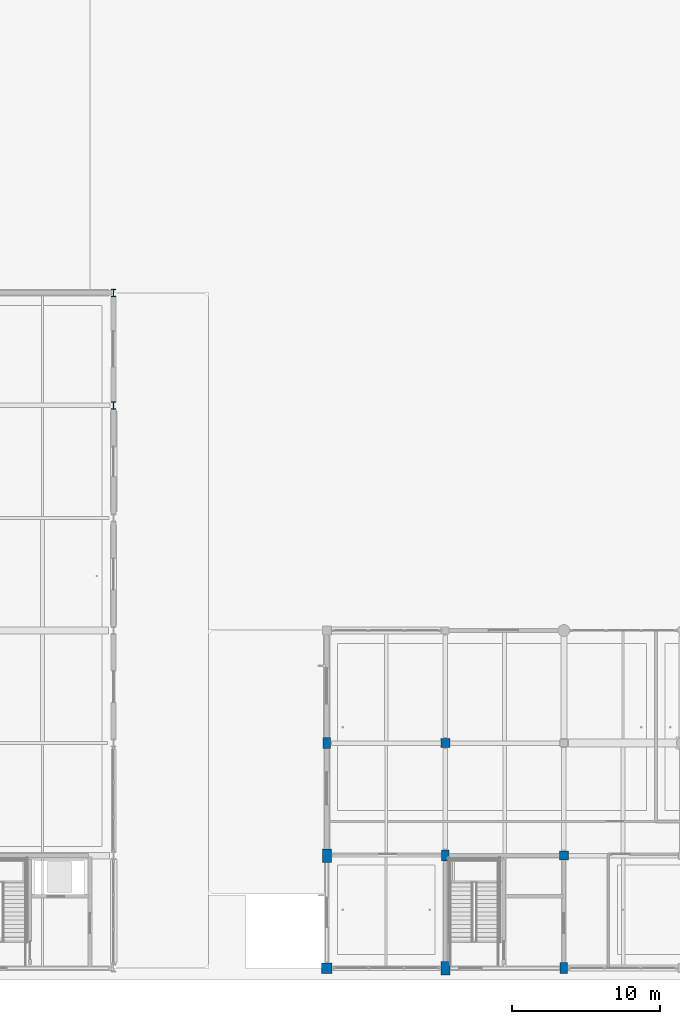
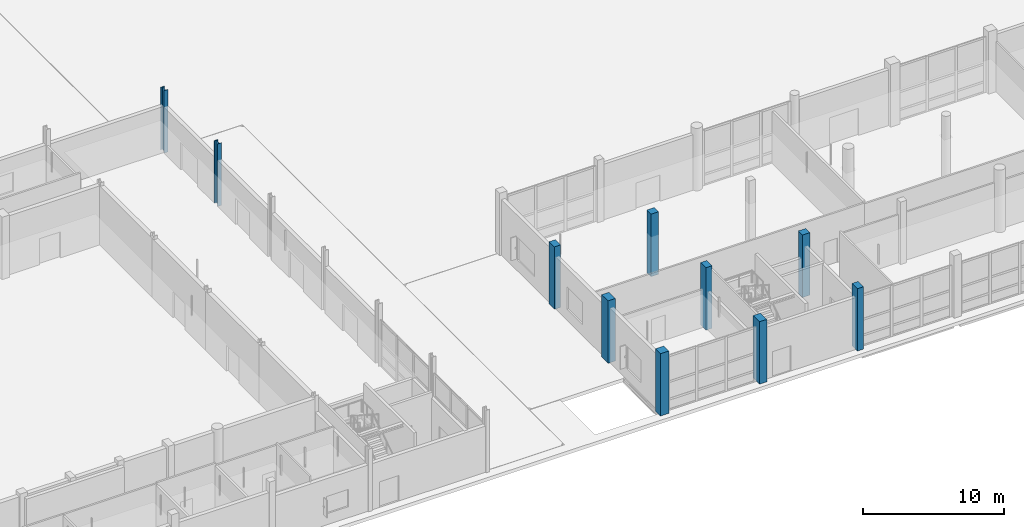
# One storey, part 4 of 126: 10 columns.
"""IFC4 building model written with IfcOpenShell, lengths in metres."""

from ifc_helpers import new_model, si_unit, direction, frame, origin, origin_2d, place, context, subcontext, project, spatial, rectangle, i_section, extrude, material, material_profile, profile_set, type_object, element, save


model = new_model("IFC4")

# Units and contexts
model_context = context("Model", 3, precision=1e-05, world=origin(), true_north=direction((0.0, 1.0)))
body_context = subcontext(model_context, "Body", "Model", "MODEL_VIEW")
ifc_project = project(units=[si_unit("LENGTHUNIT", "METRE"), si_unit("AREAUNIT", "SQUARE_METRE"), si_unit("VOLUMEUNIT", "CUBIC_METRE"), si_unit("PLANEANGLEUNIT", "RADIAN"), si_unit("MASSUNIT", "GRAM", prefix="KILO")], contexts=[model_context])

# Site, building, storey
site_placement = place(None, origin())
site = spatial("IfcSite", under=ifc_project, at=site_placement, CompositionType="ELEMENT")
building_placement = place(site_placement, origin())
building = spatial("IfcBuilding", under=site, at=building_placement, Name="Khelvaren Railside Concert Hall", CompositionType="ELEMENT")
storey_placement = place(building_placement, origin())
storey = spatial("IfcBuildingStorey", under=building, at=storey_placement, Name="L00", CompositionType="ELEMENT", Elevation=0.0)

# Columns
ifc_material_1 = material(Name="Steel S355", Category="steel")
ifc_material_profile_1 = material_profile(ifc_material_1, i_section(OverallWidth=0.300048828125, OverallDepth=0.5, WebThickness=0.014404296875, FlangeThickness=0.028076171875, FilletRadius=0.027099609375, at=origin_2d()), Name="HEB 500")
ifc_profile_set_1 = profile_set([ifc_material_profile_1], Name="Steel S355")
column_type_1 = type_object("IfcColumnType", Name="COL15", PredefinedType="COLUMN", material=ifc_profile_set_1)
for number, where, z_axis, x_axis, name in (
    (1, (49.60009765625, 38.0, 0.0), (0.0, 0.0, 1.0), (1.0, 0.0, 0.0), "V1 L00 Column (49.6,38.0)"),
    (2, (49.60009765625, 45.60009765625, 0.0), (0.0, 0.0, 1.0), (1.0, 0.0, 0.0), "V1 L00 Column (49.6,45.6)"),
):
    element("IfcColumn", number, at=place(storey_placement, frame(where, z_axis=z_axis, x_axis=x_axis)), inside=storey, type_object=column_type_1, Name=name, PredefinedType="COLUMN", context=body_context, shape_type="SweptSolid", body=[
        extrude(i_section(OverallWidth=0.300048828125, OverallDepth=0.5, WebThickness=0.014404296875, FlangeThickness=0.028076171875, FilletRadius=0.027099609375, at=origin_2d()), origin(), (0.0, 0.0, 1.0), 5.39990234375),
    ])
ifc_material_2 = material(Name="Concrete C45/55", Category="concrete")
ifc_material_profile_2 = material_profile(ifc_material_2, rectangle(XDim=0.699951171875, YDim=0.699951171875, at=origin_2d()), Name="RC 700x700")
ifc_profile_set_2 = profile_set([ifc_material_profile_2], Name="Concrete C45/55")
column_type_2 = type_object("IfcColumnType", Name="COL16", PredefinedType="COLUMN", material=ifc_profile_set_2)
column_1_placement = place(storey_placement, frame((64.0, 0.0, 0.0), z_axis=(0.0, 0.0, 1.0), x_axis=(1.0, 0.0, 0.0)))
element("IfcColumn", 3, at=column_1_placement, inside=storey, type_object=column_type_2, Name="V3 L00 Column (64.0,0.0)", PredefinedType="COLUMN", context=body_context, shape_type="SweptSolid", body=[
    extrude(rectangle(XDim=0.699951171875, YDim=0.699951171875, at=origin_2d()), origin(), (0.0, 0.0, 1.0), 5.39990234375),
])
ifc_material_profile_3 = material_profile(ifc_material_2, rectangle(XDim=0.60009765625, YDim=0.60009765625, at=origin_2d()), Name="RC 600x600")
ifc_profile_set_3 = profile_set([ifc_material_profile_3], Name="Concrete C45/55")
column_type_3 = type_object("IfcColumnType", Name="COL29", PredefinedType="COLUMN", material=ifc_profile_set_3)
for number, where, z_axis, x_axis, name in (
    (4, (72.0, 15.199951171875, 0.0), (0.0, 0.0, 1.0), (1.0, 0.0, 0.0), "V3 L00 Column (72.0,15.2)"),
    (5, (80.0, 7.60009765625, 0.0), (0.0, 0.0, 1.0), (1.0, 0.0, 0.0), "V3 L00 Column (80.0,7.6)"),
):
    element("IfcColumn", number, at=place(storey_placement, frame(where, z_axis=z_axis, x_axis=x_axis)), inside=storey, type_object=column_type_3, Name=name, PredefinedType="COLUMN", context=body_context, shape_type="SweptSolid", body=[
        extrude(rectangle(XDim=0.60009765625, YDim=0.60009765625, at=origin_2d()), origin(), (0.0, 0.0, 1.0), 5.39990234375),
    ])
ifc_material_profile_4 = material_profile(ifc_material_2, rectangle(XDim=0.5, YDim=0.75, at=origin_2d()), Name="RC 500x750")
ifc_profile_set_4 = profile_set([ifc_material_profile_4], Name="Concrete C45/55")
column_type_4 = type_object("IfcColumnType", Name="COL36", PredefinedType="COLUMN", material=ifc_profile_set_4)
column_2_placement = place(storey_placement, frame((72.0, 7.60009765625, 0.0), z_axis=(0.0, 0.0, 1.0), x_axis=(1.0, 0.0, 0.0)))
element("IfcColumn", 6, at=column_2_placement, inside=storey, type_object=column_type_4, Name="V3 L00 Column (72.0,7.6)", PredefinedType="COLUMN", context=body_context, shape_type="SweptSolid", body=[
    extrude(rectangle(XDim=0.5, YDim=0.75, at=origin_2d()), origin(), (0.0, 0.0, 1.0), 5.39990234375),
])
ifc_material_profile_5 = material_profile(ifc_material_2, rectangle(XDim=0.60009765625, YDim=0.89990234375, at=origin_2d()), Name="RC 600x900")
ifc_profile_set_5 = profile_set([ifc_material_profile_5], Name="Concrete C45/55")
column_type_5 = type_object("IfcColumnType", Name="COL95", PredefinedType="COLUMN", material=ifc_profile_set_5)
for number, where, z_axis, x_axis, name in (
    (7, (64.0, 7.60009765625, 0.0), (0.0, 0.0, 1.0), (1.0, 0.0, 0.0), "V3 L00 Column (64.0,7.6)"),
    (8, (72.0, 0.0, 0.0), (0.0, 0.0, 1.0), (1.0, 0.0, 0.0), "V3 L00 Column (72.0,0.0)"),
):
    element("IfcColumn", number, at=place(storey_placement, frame(where, z_axis=z_axis, x_axis=x_axis)), inside=storey, type_object=column_type_5, Name=name, PredefinedType="COLUMN", context=body_context, shape_type="SweptSolid", body=[
        extrude(rectangle(XDim=0.60009765625, YDim=0.89990234375, at=origin_2d()), origin(), (0.0, 0.0, 1.0), 5.39990234375),
    ])
ifc_material_profile_6 = material_profile(ifc_material_2, rectangle(XDim=0.5, YDim=0.75, at=origin_2d()), Name="RC 500x750")
ifc_profile_set_6 = profile_set([ifc_material_profile_6], Name="Concrete C45/55")
column_type_6 = type_object("IfcColumnType", Name="COL97", PredefinedType="COLUMN", material=ifc_profile_set_6)
for number, where, z_axis, x_axis, name in (
    (9, (64.0, 15.199951171875, 0.0), (0.0, 0.0, 1.0), (1.0, 0.0, 0.0), "V3 L00 Column (64.0,15.2)"),
    (10, (80.0, 0.0, 0.0), (0.0, 0.0, 1.0), (1.0, 0.0, 0.0), "V3 L00 Column (80.0,0.0)"),
):
    element("IfcColumn", number, at=place(storey_placement, frame(where, z_axis=z_axis, x_axis=x_axis)), inside=storey, type_object=column_type_6, Name=name, PredefinedType="COLUMN", context=body_context, shape_type="SweptSolid", body=[
        extrude(rectangle(XDim=0.5, YDim=0.75, at=origin_2d()), origin(), (0.0, 0.0, 1.0), 5.39990234375),
    ])

save(model, "model.ifc")
